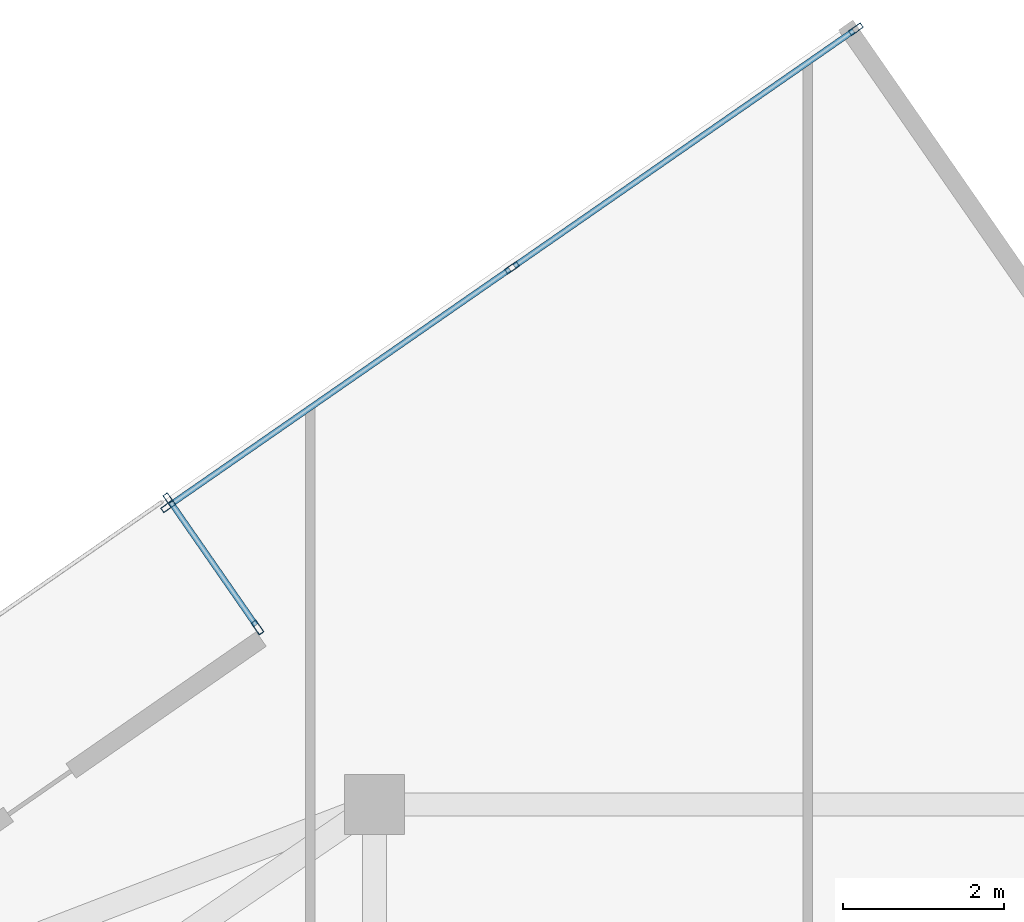
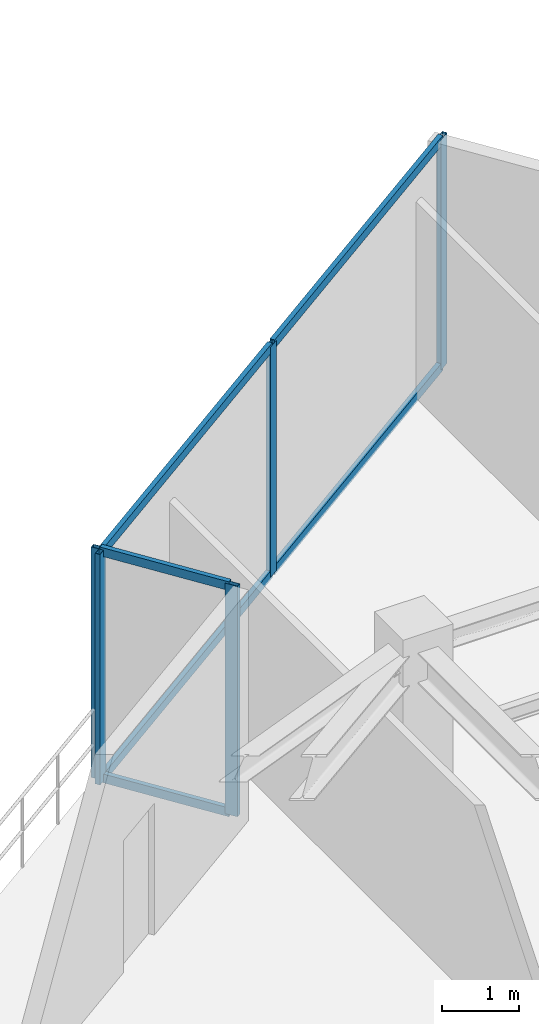
# One storey, part 14 of 21: 11 members, 2 elements without a shape of their own.
"""IFC4 building model written with IfcOpenShell, lengths in metres."""

from ifc_helpers import new_model, si_unit, direction, frame, origin, origin_2d, place, context, subcontext, project, spatial, hollow_rectangle, extrude, source, transform, mapped, material, material_profile, profile_set, type_object, type_shapes, element, aggregate, save


model = new_model("IFC4")

# Units and contexts
model_context = context("Model", 3, precision=1e-05, world=origin(), true_north=direction((0.0, 1.0)))
body_context = subcontext(model_context, "Body", "Model", "MODEL_VIEW")
ifc_project = project(units=[si_unit("LENGTHUNIT", "METRE"), si_unit("AREAUNIT", "SQUARE_METRE"), si_unit("VOLUMEUNIT", "CUBIC_METRE"), si_unit("PLANEANGLEUNIT", "RADIAN"), si_unit("MASSUNIT", "GRAM", prefix="KILO")], contexts=[model_context])

# Site, building, storey
site_placement = place(None, origin())
site = spatial("IfcSite", under=ifc_project, at=site_placement, CompositionType="ELEMENT")
building_placement = place(site_placement, origin())
building = spatial("IfcBuilding", under=site, at=building_placement, Name="Krantzveldt Concourse Tower", CompositionType="ELEMENT")
storey_placement = place(building_placement, frame((0.0, 0.0, 271.35009765625)))
storey = spatial("IfcBuildingStorey", under=building, at=storey_placement, Name="L66", CompositionType="ELEMENT", Elevation=271.35009765625)

# Curtain wall, members
ifc_material = material(Name="Anodised aluminium 6063-T6", Category="aluminium")
curtain_wall_type_1 = type_object("IfcCurtainWallType", Name="CW4", PredefinedType="USERDEFINED", material=ifc_material)
curtain_wall_1_placement = place(storey_placement, origin())
curtain_wall_1 = element("IfcCurtainWall", 1, at=curtain_wall_1_placement, inside=storey, type_object=curtain_wall_type_1, Name="CW-L66-F01", ObjectType="UNITISED CURTAIN WALL", PredefinedType="USERDEFINED")
ifc_material_profile_1 = material_profile(ifc_material, hollow_rectangle(XDim=0.070068359375, YDim=0.179931640625, WallThickness=0.0048828125, at=origin_2d()), Name="Anodised aluminium 6063-T6", Category="aluminium")
ifc_profile_set_1 = profile_set([ifc_material_profile_1], Name="Anodised aluminium 6063-T6 - ALU-MULL 180x70x5")
member_type_1 = type_object("IfcMemberType", Name="CW-MUL-180", PredefinedType="MULLION", material=ifc_profile_set_1)
shared_shape_1 = source(origin(), body_context, "Body", "SweptSolid", [
    extrude(hollow_rectangle(XDim=0.070068359375, YDim=0.179931640625, WallThickness=0.0048828125, at=origin_2d()), origin(), (0.0, 0.0, 1.0), 3.669921875),
])
type_shapes(member_type_1, [shared_shape_1])
member_1_placement = place(storey_placement, frame((36.60009765625, 50.861328125, 0.0), z_axis=(0.0, 0.0, 1.0), x_axis=(0.569996503407, -0.821647117748, 0.0)))
member_1 = element("IfcMember", 2, at=member_1_placement, type_object=member_type_1, Name="CW-Z56 mullion 1", PredefinedType="MULLION", context=body_context, shape_type="MappedRepresentation", body=[
    mapped(shared_shape_1, transform((0.0, 0.0, 0.0), x_axis=(1.0, 0.0, 0.0), y_axis=(0.0, 1.0, 0.0), z_axis=(0.0, 0.0, 1.0), scale=1.0)),
])
member_2_placement = place(storey_placement, frame((32.315185546875, 47.888916015625, 0.0), z_axis=(0.0, 0.0, 1.0), x_axis=(0.569996503407, -0.821647117748, 0.0)))
member_2 = element("IfcMember", 3, at=member_2_placement, type_object=member_type_1, Name="CW-Z56 mullion 2", PredefinedType="MULLION", context=body_context, shape_type="MappedRepresentation", body=[
    mapped(shared_shape_1, transform((0.0, 0.0, 0.0), x_axis=(1.0, 0.0, 0.0), y_axis=(0.0, 1.0, 0.0), z_axis=(0.0, 0.0, 1.0), scale=1.0)),
])
member_3_placement = place(storey_placement, frame((28.0302734375, 44.916259765625, 0.0), z_axis=(0.0, 0.0, 1.0), x_axis=(0.569996503407, -0.821647117748, 0.0)))
member_3 = element("IfcMember", 4, at=member_3_placement, type_object=member_type_1, Name="CW-Z56 mullion 3", PredefinedType="MULLION", context=body_context, shape_type="MappedRepresentation", body=[
    mapped(shared_shape_1, transform((0.0, 0.0, 0.0), x_axis=(1.0, 0.0, 0.0), y_axis=(0.0, 1.0, 0.0), z_axis=(0.0, 0.0, 1.0), scale=1.0)),
])

curtain_wall_type_2 = type_object("IfcCurtainWallType", Name="CW6", PredefinedType="USERDEFINED", material=ifc_material)
curtain_wall_2_placement = place(storey_placement, origin())
curtain_wall_2 = element("IfcCurtainWall", 5, at=curtain_wall_2_placement, inside=storey, type_object=curtain_wall_type_2, Name="CW-L66-TR02", ObjectType="UNITISED CURTAIN WALL", PredefinedType="USERDEFINED")
member_4_placement = place(storey_placement, frame((28.044189453125, 44.992919921875, 0.0), z_axis=(0.0, 0.0, 1.0), x_axis=(0.8216464166, 0.569997514107, 0.0)))
member_4 = element("IfcMember", 6, at=member_4_placement, type_object=member_type_1, Name="CW-TERR mullion 1", PredefinedType="MULLION", context=body_context, shape_type="MappedRepresentation", body=[
    mapped(shared_shape_1, transform((0.0, 0.0, 0.0), x_axis=(1.0, 0.0, 0.0), y_axis=(0.0, 1.0, 0.0), z_axis=(0.0, 0.0, 1.0), scale=1.0)),
])
member_5_placement = place(storey_placement, frame((29.144287109375, 43.406982421875, 0.0), z_axis=(0.0, 0.0, 1.0), x_axis=(0.8216464166, 0.569997514107, 0.0)))
member_5 = element("IfcMember", 7, at=member_5_placement, type_object=member_type_1, Name="CW-TERR mullion 2", PredefinedType="MULLION", context=body_context, shape_type="MappedRepresentation", body=[
    mapped(shared_shape_1, transform((0.0, 0.0, 0.0), x_axis=(1.0, 0.0, 0.0), y_axis=(0.0, 1.0, 0.0), z_axis=(0.0, 0.0, 1.0), scale=1.0)),
])
ifc_material_profile_2 = material_profile(ifc_material, hollow_rectangle(XDim=0.070068359375, YDim=0.139892578125, WallThickness=0.0048828125, at=origin_2d()), Name="Anodised aluminium 6063-T6", Category="aluminium")
ifc_profile_set_2 = profile_set([ifc_material_profile_2], Name="Anodised aluminium 6063-T6 - ALU-TRAN 140x70x5")
member_type_2 = type_object("IfcMemberType", Name="CW-TRN-150", PredefinedType="USERDEFINED", material=ifc_profile_set_2)
shared_shape_2 = source(origin(), body_context, "Body", "SweptSolid", [
    extrude(hollow_rectangle(XDim=0.070068359375, YDim=0.139892578125, WallThickness=0.0048828125, at=origin_2d()), origin(), (0.0, 0.0, 1.0), 1.85986328125),
])
member_6_placement = place(storey_placement, frame((28.064208984375, 44.964111328125, 0.034912109375), z_axis=(0.569933266544, -0.821690983087, 0.0), x_axis=(0.821690983087, 0.569933266544, 0.0)))
member_6 = element("IfcMember", 8, at=member_6_placement, type_object=member_type_2, Name="CW-TERR transom 1.1", ObjectType="TRANSOM", PredefinedType="USERDEFINED", context=body_context, shape_type="MappedRepresentation", body=[
    mapped(shared_shape_2, transform((0.0, 0.0, 0.0), x_axis=(1.0, 0.0, 0.0), y_axis=(0.0, 1.0, 0.0), z_axis=(0.0, 0.0, 1.0), scale=1.0)),
])
member_7_placement = place(storey_placement, frame((28.064208984375, 44.964111328125, 3.635009765625), z_axis=(0.569933266544, -0.821690983087, 0.0), x_axis=(0.821690983087, 0.569933266544, 0.0)))
member_7 = element("IfcMember", 9, at=member_7_placement, type_object=member_type_2, Name="CW-TERR transom 1.2", ObjectType="TRANSOM", PredefinedType="USERDEFINED", context=body_context, shape_type="MappedRepresentation", body=[
    mapped(shared_shape_2, transform((0.0, 0.0, 0.0), x_axis=(1.0, 0.0, 0.0), y_axis=(0.0, 1.0, 0.0), z_axis=(0.0, 0.0, 1.0), scale=1.0)),
])
aggregate(curtain_wall_2, [member_4, member_5, member_6, member_7])

# Member
shared_shape_3 = source(origin(), body_context, "Body", "SweptSolid", [
    extrude(hollow_rectangle(XDim=0.070068359375, YDim=0.139892578125, WallThickness=0.0048828125, at=origin_2d()), origin(), (0.0, 0.0, 1.0), 5.14501953125),
])
type_shapes(member_type_2, [shared_shape_2, shared_shape_3])
member_8_placement = place(storey_placement, frame((36.5712890625, 50.84130859375, 0.034912109375), z_axis=(-0.821643446743, -0.570001795107, 0.0), x_axis=(0.570001795107, -0.821643446743, 0.0)))
member_8 = element("IfcMember", 10, at=member_8_placement, type_object=member_type_2, Name="CW-Z56 transom 1.1", ObjectType="TRANSOM", PredefinedType="USERDEFINED", context=body_context, shape_type="MappedRepresentation", body=[
    mapped(shared_shape_3, transform((0.0, 0.0, 0.0), x_axis=(1.0, 0.0, 0.0), y_axis=(0.0, 1.0, 0.0), z_axis=(0.0, 0.0, 1.0), scale=1.0)),
])

member_9_placement = place(storey_placement, frame((36.5712890625, 50.84130859375, 3.635009765625), z_axis=(-0.821643446743, -0.570001795107, 0.0), x_axis=(0.570001795107, -0.821643446743, 0.0)))
member_9 = element("IfcMember", 11, at=member_9_placement, type_object=member_type_2, Name="CW-Z56 transom 1.2", ObjectType="TRANSOM", PredefinedType="USERDEFINED", context=body_context, shape_type="MappedRepresentation", body=[
    mapped(shared_shape_3, transform((0.0, 0.0, 0.0), x_axis=(1.0, 0.0, 0.0), y_axis=(0.0, 1.0, 0.0), z_axis=(0.0, 0.0, 1.0), scale=1.0)),
])

member_10_placement = place(storey_placement, frame((32.28662109375, 47.868896484375, 0.034912109375), z_axis=(-0.821658863319, -0.569979571852, 0.0), x_axis=(0.569979571852, -0.821658863319, 0.0)))
member_10 = element("IfcMember", 12, at=member_10_placement, type_object=member_type_2, Name="CW-Z56 transom 2.1", ObjectType="TRANSOM", PredefinedType="USERDEFINED", context=body_context, shape_type="MappedRepresentation", body=[
    mapped(shared_shape_3, transform((0.0, 0.0, 0.0), x_axis=(1.0, 0.0, 0.0), y_axis=(0.0, 1.0, 0.0), z_axis=(0.0, 0.0, 1.0), scale=1.0)),
])

member_11_placement = place(storey_placement, frame((32.28662109375, 47.868896484375, 3.635009765625), z_axis=(-0.821658863319, -0.569979571852, 0.0), x_axis=(0.569979571852, -0.821658863319, 0.0)))
member_11 = element("IfcMember", 13, at=member_11_placement, type_object=member_type_2, Name="CW-Z56 transom 2.2", ObjectType="TRANSOM", PredefinedType="USERDEFINED", context=body_context, shape_type="MappedRepresentation", body=[
    mapped(shared_shape_3, transform((0.0, 0.0, 0.0), x_axis=(1.0, 0.0, 0.0), y_axis=(0.0, 1.0, 0.0), z_axis=(0.0, 0.0, 1.0), scale=1.0)),
])

aggregate(curtain_wall_1, [member_1, member_2, member_3, member_8, member_9, member_10, member_11])

save(model, "model.ifc")
